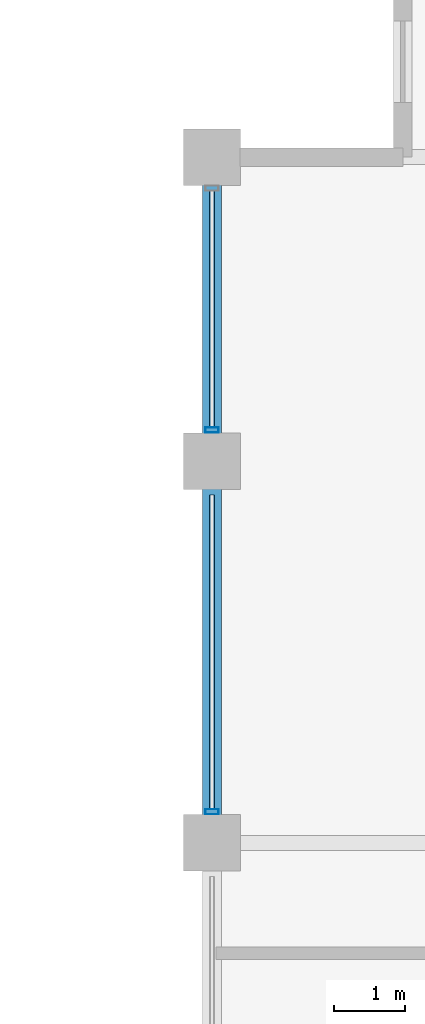
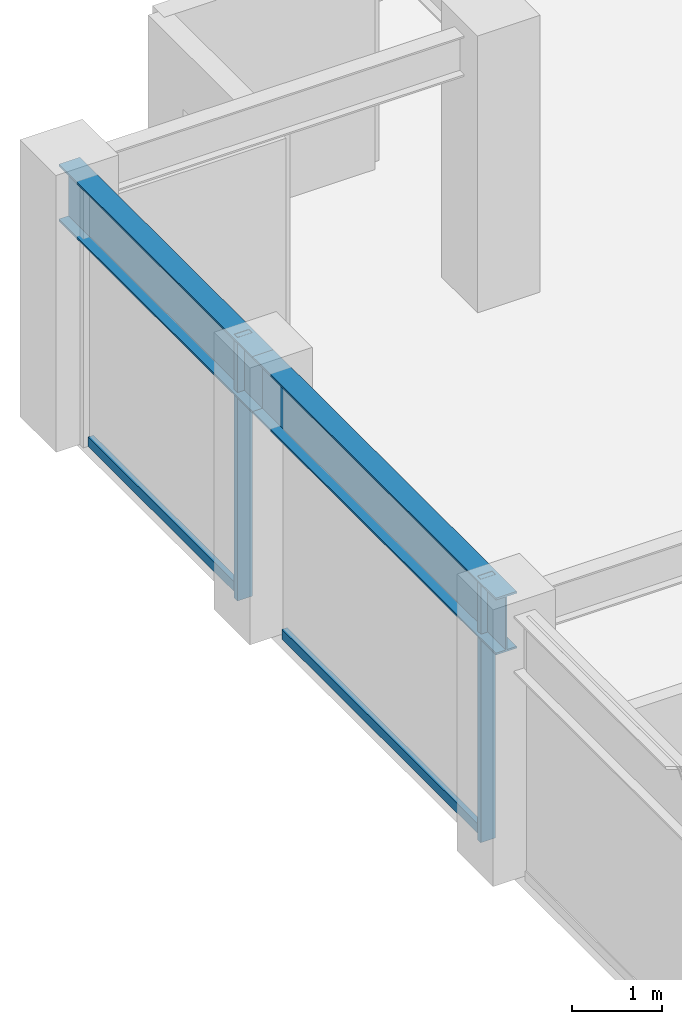
# One storey, part 13 of 28: 4 members, 2 beams, 1 element without a shape of its own.
"""IFC4 building model written with IfcOpenShell, lengths in metres."""

import ifcopenshell
import ifcopenshell.guid

model = None  # the IFC model being written
_history = None  # IfcOwnerHistory: only IFC2X3 demands one
_inside = {}  # id of a spatial element -> (the spatial element, [elements in it])
_under = {}  # id of a project, library or spatial element -> (it, [spatial elements below it])
_declared = {}  # id of a project -> (the project, [libraries it declares])
_typed = {}  # id of a type object -> (the type object, [elements of that type])
_made_of = {}  # id of a material, layer set ... -> (it, [elements and type objects made of it])


def new_model(schema):
    """Start an empty IFC model of exactly this schema.

    Asked for "IFC4X3", IfcOpenShell would pick the latest addendum, in which some entities
    have other attributes; the version numbers below select the first issue.
    IFC2X3 requires an IfcOwnerHistory on every rooted entity: one is made here for all.
    """
    global model, _history
    if schema == "IFC4X3":
        model = ifcopenshell.file(schema_version=(4, 3, 0, 0))
    else:
        model = ifcopenshell.file(schema=schema)
    _inside.clear()
    _under.clear()
    _declared.clear()
    _typed.clear()
    _made_of.clear()
    _history = None
    if model.schema == "IFC2X3":
        org = make("IfcOrganization", Name="unknown")
        user = make(
            "IfcPersonAndOrganization",
            ThePerson=make("IfcPerson", FamilyName="unknown"),
            TheOrganization=org,
        )
        app = make(
            "IfcApplication",
            ApplicationDeveloper=org,
            Version="unknown",
            ApplicationFullName="unknown",
            ApplicationIdentifier="unknown",
        )
        _history = make(
            "IfcOwnerHistory",
            OwningUser=user,
            OwningApplication=app,
            ChangeAction="ADDED",
            CreationDate=0,
        )
    return model


def make(cls, **values):
    """One entity of the class cls with the attributes given. An attribute that is None is left unset."""
    return model.create_entity(
        cls, **{name: value for name, value in values.items() if value is not None}
    )


def rooted(cls, **values):
    """An entity with a GlobalId (a new one), such as an element, a storey or a relation."""
    return make(cls, GlobalId=ifcopenshell.guid.new(), OwnerHistory=_history, **values)


def si_unit(unit_type, name, prefix=None):
    """IfcSIUnit, for example si_unit("LENGTHUNIT", "METRE", prefix="MILLI")."""
    return make("IfcSIUnit", UnitType=unit_type, Prefix=prefix, Name=name)


def assignment(units):
    """IfcUnitAssignment: the units of a project."""
    return None if units is None else make("IfcUnitAssignment", Units=units)


def point(xyz):
    """IfcCartesianPoint."""
    return None if xyz is None else make("IfcCartesianPoint", Coordinates=xyz)


def direction(xyz):
    """IfcDirection."""
    return None if xyz is None else make("IfcDirection", DirectionRatios=xyz)


def frame(location, z_axis=None, x_axis=None):
    """IfcAxis2Placement3D, a coordinate frame: its origin and axes. An axis left out is left unset."""
    return make(
        "IfcAxis2Placement3D",
        Location=point(location),
        Axis=direction(z_axis),
        RefDirection=direction(x_axis),
    )


def frame_2d(location, x_axis=None):
    """IfcAxis2Placement2D, a coordinate frame in the plane: its origin and x axis."""
    return make(
        "IfcAxis2Placement2D", Location=point(location), RefDirection=direction(x_axis)
    )


def origin():
    """The frame at (0, 0, 0) with its axes left unset."""
    return frame((0.0, 0.0, 0.0))


def origin_2d():
    """The frame at (0, 0) in the plane with its x axis left unset."""
    return frame_2d((0.0, 0.0))


def place(relative_to, where):
    """IfcLocalPlacement: puts the frame where relative to a parent placement (None: the world)."""
    return make(
        "IfcLocalPlacement", PlacementRelTo=relative_to, RelativePlacement=where
    )


def context(
    kind, dimensions, precision=None, world=None, true_north=None, identifier=None
):
    """IfcGeometricRepresentationContext, for example the 3D "Model" context."""
    return make(
        "IfcGeometricRepresentationContext",
        ContextIdentifier=identifier,
        ContextType=kind,
        CoordinateSpaceDimension=dimensions,
        Precision=precision,
        WorldCoordinateSystem=world,
        TrueNorth=true_north,
    )


def subcontext(parent, identifier, kind, view, scale=None):
    """IfcGeometricRepresentationSubContext, for example "Body" below "Model"."""
    return make(
        "IfcGeometricRepresentationSubContext",
        ContextIdentifier=identifier,
        ContextType=kind,
        ParentContext=parent,
        TargetScale=scale,
        TargetView=view,
    )


def project(units=None, contexts=None):
    """IfcProject with its units and contexts."""
    return rooted(
        "IfcProject",
        Name="project",
        RepresentationContexts=contexts,
        UnitsInContext=assignment(units),
    )


def spatial(cls, under=None, at=None, **own):
    """A site, building, storey or space (cls), placed at a placement, below another one or the project."""
    s = rooted(cls, ObjectPlacement=at, **own)
    if under is not None:
        _under.setdefault(under.id(), (under, []))[1].append(s)
    return s


def profile(cls, at=None, kind="AREA", **sizes):
    """A parametric profile (cls). Its sizes go by their IFC names, for example OverallWidth=200.0."""
    return make(cls, ProfileType=kind, Position=at, **sizes)


def hollow_rectangle(**sizes):
    """IfcRectangleHollowProfileDef."""
    return profile("IfcRectangleHollowProfileDef", **sizes)


def i_section(**sizes):
    """IfcIShapeProfileDef."""
    return profile("IfcIShapeProfileDef", **sizes)


def extrude(swept, where, along, depth):
    """IfcExtrudedAreaSolid: the profile swept, set in the frame where, extruded along a direction by depth."""
    return make(
        "IfcExtrudedAreaSolid",
        SweptArea=swept,
        Position=where,
        ExtrudedDirection=direction(along),
        Depth=depth,
    )


def shape(context_of_items, identifier, shape_type, items):
    """IfcShapeRepresentation: the items that make up one representation, for example the "Body"."""
    return make(
        "IfcShapeRepresentation",
        ContextOfItems=context_of_items,
        RepresentationIdentifier=identifier,
        RepresentationType=shape_type,
        Items=items,
    )


def material(Name=None, Category=None):
    """IfcMaterial."""
    return make("IfcMaterial", Name=Name, Category=Category)


def layer(
    of_material, thickness, ventilated=None, Name=None, Category=None, Priority=None
):
    """IfcMaterialLayer: one layer of a wall or slab, of a material (None: an air gap)."""
    return make(
        "IfcMaterialLayer",
        Material=of_material,
        LayerThickness=thickness,
        IsVentilated=ventilated,
        Name=Name,
        Category=Category,
        Priority=Priority,
    )


def layer_set(layers, Name=None):
    """IfcMaterialLayerSet."""
    return make("IfcMaterialLayerSet", MaterialLayers=layers, LayerSetName=Name)


def material_profile(
    of_material, cross_section, Name=None, Category=None, Priority=None
):
    """IfcMaterialProfile: a cross section and its material."""
    return make(
        "IfcMaterialProfile",
        Name=Name,
        Material=of_material,
        Profile=cross_section,
        Priority=Priority,
        Category=Category,
    )


def profile_set(profiles, Name=None, composite=None):
    """IfcMaterialProfileSet."""
    return make(
        "IfcMaterialProfileSet",
        Name=Name,
        MaterialProfiles=profiles,
        CompositeProfile=composite,
    )


def made_of(thing, what):
    """Note that an element or type object is made of a material, layer set ...; save() writes the relation."""
    if what is not None:
        _made_of.setdefault(what.id(), (what, []))[1].append(thing)
    return thing


def type_object(cls, material=None, **own):
    """A type object (cls), such as IfcWallType, which elements share."""
    return made_of(rooted(cls, **own), material)


def element(
    cls,
    number,
    at=None,
    inside=None,
    cuts=None,
    type_object=None,
    material=None,
    context=None,
    identifier="Body",
    shape_type=None,
    held_by="IfcProductDefinitionShape",
    body=None,
    shapes=None,
    **own,
):
    """One element of the class cls, such as IfcWall. Its Tag is "e" and its number.

    at: its placement. inside: the storey or other place that contains it. cuts: it is an
    opening in that element (IfcRelVoidsElement). A single representation is given by context,
    identifier, shape_type and body (its items); several are given by shapes. held_by: the class
    of the entity that holds the representations. save() writes the other relations.
    """
    e = rooted(cls, Tag="e%d" % number, ObjectPlacement=at, **own)
    if body is not None:
        shapes = [shape(context, identifier, shape_type, body)]
    if shapes is not None:
        e.Representation = make(held_by, Representations=shapes)
    if inside is not None:
        _inside.setdefault(inside.id(), (inside, []))[1].append(e)
    if cuts is not None:
        rooted(
            "IfcRelVoidsElement", RelatingBuildingElement=cuts, RelatedOpeningElement=e
        )
    if type_object is not None:
        _typed.setdefault(type_object.id(), (type_object, []))[1].append(e)
    return made_of(e, material)


def aggregate(whole, parts):
    """IfcRelAggregates: a whole, such as a stair, and the parts it consists of."""
    return rooted("IfcRelAggregates", RelatingObject=whole, RelatedObjects=parts)


def save(model, path):
    """Write the relations noted so far, then the file.

    IfcRelAggregates (storeys below a building ...), IfcRelContainedInSpatialStructure (elements
    in a storey), IfcRelDefinesByType, IfcRelAssociatesMaterial and IfcRelDeclares: one each for
    every whole, place, type object, material and project.
    """
    for whole, parts in _under.values():
        aggregate(whole, parts)
    for where, things in _inside.values():
        rooted(
            "IfcRelContainedInSpatialStructure",
            RelatedElements=things,
            RelatingStructure=where,
        )
    for kind, things in _typed.values():
        rooted("IfcRelDefinesByType", RelatedObjects=things, RelatingType=kind)
    for what, things in _made_of.values():
        rooted("IfcRelAssociatesMaterial", RelatedObjects=things, RelatingMaterial=what)
    for by, libraries in _declared.values():
        rooted("IfcRelDeclares", RelatingContext=by, RelatedDefinitions=libraries)
    model.write(path)


model = new_model("IFC4")

# Units and contexts
model_context = context("Model", 3, precision=1e-05, world=origin(), true_north=direction((0.0, 1.0)))
body_context = subcontext(model_context, "Body", "Model", "MODEL_VIEW")
ifc_project = project(units=[si_unit("LENGTHUNIT", "METRE"), si_unit("AREAUNIT", "SQUARE_METRE"), si_unit("VOLUMEUNIT", "CUBIC_METRE"), si_unit("PLANEANGLEUNIT", "RADIAN"), si_unit("MASSUNIT", "GRAM", prefix="KILO")], contexts=[model_context])

# Site, building, storey
site_placement = place(None, origin())
site = spatial("IfcSite", under=ifc_project, at=site_placement, CompositionType="ELEMENT")
building_placement = place(site_placement, origin())
building = spatial("IfcBuilding", under=site, at=building_placement, Name="Surkhivell Harbour Commons", CompositionType="ELEMENT")
storey_placement = place(building_placement, frame((0.0, 0.0, 242.25)))
storey = spatial("IfcBuildingStorey", under=building, at=storey_placement, Name="L63", CompositionType="ELEMENT", Elevation=242.25)

# Beams
ifc_material_1 = material(Name="Steel S355", Category="steel")
ifc_material_profile_1 = material_profile(ifc_material_1, i_section(OverallWidth=0.26806640625, OverallDepth=0.77001953125, WebThickness=0.015625, FlangeThickness=0.025390625, at=origin_2d()), Name="UB762x267x197")
ifc_profile_set_1 = profile_set([ifc_material_profile_1], Name="Steel S355")
beam_type = type_object("IfcBeamType", Name="BM-SPN-762", PredefinedType="SPANDREL", material=ifc_profile_set_1)
beam_1_placement = place(storey_placement, frame((-27.0, 10.800048828125, 3.18505859375), z_axis=(0.0, 1.0, 0.0), x_axis=(-1.0, 0.0, 0.0)))
element("IfcBeam", 1, at=beam_1_placement, inside=storey, type_object=beam_type, Name="L63 Tube Spandrel (-27.0,10.8)", PredefinedType="SPANDREL", context=body_context, shape_type="SweptSolid", body=[
    extrude(i_section(OverallWidth=0.26806640625, OverallDepth=0.77001953125, WebThickness=0.015625, FlangeThickness=0.025390625, at=origin_2d()), origin(), (0.0, 0.0, 1.0), 5.39990234375),
])
beam_2_placement = place(storey_placement, frame((-27.0, 16.199951171875, 3.18505859375), z_axis=(0.0, 1.0, 0.0), x_axis=(-1.0, 0.0, 0.0)))
element("IfcBeam", 2, at=beam_2_placement, inside=storey, type_object=beam_type, Name="L63 Tube Spandrel (-27.0,16.2)", PredefinedType="SPANDREL", context=body_context, shape_type="SweptSolid", body=[
    extrude(i_section(OverallWidth=0.26806640625, OverallDepth=0.77001953125, WebThickness=0.015625, FlangeThickness=0.025390625, at=origin_2d()), origin(), (0.0, 0.0, 1.0), 4.300048828125),
])

# Curtain wall, members
ifc_material_2 = material(Name="Anodised pale-metal aluminium and insulated glazing", Category="aluminium")
ifc_layer = layer(ifc_material_2, 0.18994140625)
ifc_layer_set = layer_set([ifc_layer], Name="Anodised pale-metal aluminium and insulated glazing")
curtain_wall_type = type_object("IfcCurtainWallType", Name="CW-SYS-Z3", PredefinedType="NOTDEFINED", material=ifc_layer_set)
curtain_wall_placement = place(storey_placement, origin())
curtain_wall = element("IfcCurtainWall", 3, at=curtain_wall_placement, inside=storey, type_object=curtain_wall_type, Name="L63 Curtain Wall CW-L63-E12R2", PredefinedType="NOTDEFINED")
ifc_material_3 = material(Name="Anodised pale-metal aluminium alloy 6063-T6", Category="aluminium")
ifc_material_profile_2 = material_profile(ifc_material_3, hollow_rectangle(XDim=0.074951171875, YDim=0.18994140625, WallThickness=0.00390625, at=origin_2d()), Name="ALU-MULL-75x190")
ifc_profile_set_2 = profile_set([ifc_material_profile_2], Name="Anodised pale-metal aluminium alloy 6063-T6")
member_type_1 = type_object("IfcMemberType", Name="CWM-190", PredefinedType="MULLION", material=ifc_profile_set_2)
member_1_placement = place(storey_placement, frame((-27.0, 11.239501953125, 0.0), z_axis=(0.0, 0.0, 1.0), x_axis=(0.0, 1.0, 0.0)))
member_1 = element("IfcMember", 4, at=member_1_placement, type_object=member_type_1, Name="CW-Z3 mullion 2", PredefinedType="MULLION", context=body_context, shape_type="SweptSolid", body=[
    extrude(hollow_rectangle(XDim=0.074951171875, YDim=0.18994140625, WallThickness=0.00390625, at=origin_2d()), origin(), (0.0, 0.0, 1.0), 3.570068359375),
])
member_2_placement = place(storey_placement, frame((-27.0, 16.639404296875, 0.0), z_axis=(0.0, 0.0, 1.0), x_axis=(0.0, 1.0, 0.0)))
member_2 = element("IfcMember", 5, at=member_2_placement, type_object=member_type_1, Name="CW-Z3 mullion 3", PredefinedType="MULLION", context=body_context, shape_type="SweptSolid", body=[
    extrude(hollow_rectangle(XDim=0.074951171875, YDim=0.18994140625, WallThickness=0.00390625, at=origin_2d()), origin(), (0.0, 0.0, 1.0), 3.570068359375),
])
ifc_material_4 = material(Name="Champagne anodised aluminium alloy 6063-T6", Category="aluminium")
ifc_material_profile_3 = material_profile(ifc_material_4, hollow_rectangle(XDim=0.070068359375, YDim=0.1298828125, WallThickness=0.00341796875, at=origin_2d()), Name="ALU-TRAN-70x130")
ifc_profile_set_3 = profile_set([ifc_material_profile_3], Name="Champagne anodised aluminium alloy 6063-T6")
member_type_2 = type_object("IfcMemberType", Name="CWT-130", PredefinedType="USERDEFINED", material=ifc_profile_set_3)
member_3_placement = place(storey_placement, frame((-27.0, 11.277099609375, 0.06494140625), z_axis=(0.0, 1.0, 0.0), x_axis=(-1.0, 0.0, 0.0)))
member_3 = element("IfcMember", 6, at=member_3_placement, type_object=member_type_2, Name="CW-Z3 transom 2.1", ObjectType="TRANSOM", PredefinedType="USERDEFINED", context=body_context, shape_type="SweptSolid", body=[
    extrude(hollow_rectangle(XDim=0.070068359375, YDim=0.1298828125, WallThickness=0.00341796875, at=origin_2d()), origin(), (0.0, 0.0, 1.0), 4.44580078125),
])
member_4_placement = place(storey_placement, frame((-27.0, 16.677001953125, 0.06494140625), z_axis=(0.0, 1.0, 0.0), x_axis=(-1.0, 0.0, 0.0)))
member_4 = element("IfcMember", 7, at=member_4_placement, type_object=member_type_2, Name="CW-Z3 transom 3.1", ObjectType="TRANSOM", PredefinedType="USERDEFINED", context=body_context, shape_type="SweptSolid", body=[
    extrude(hollow_rectangle(XDim=0.070068359375, YDim=0.1298828125, WallThickness=0.00341796875, at=origin_2d()), origin(), (0.0, 0.0, 1.0), 3.345947265625),
])
aggregate(curtain_wall, [member_1, member_3, member_2, member_4])

save(model, "model.ifc")
